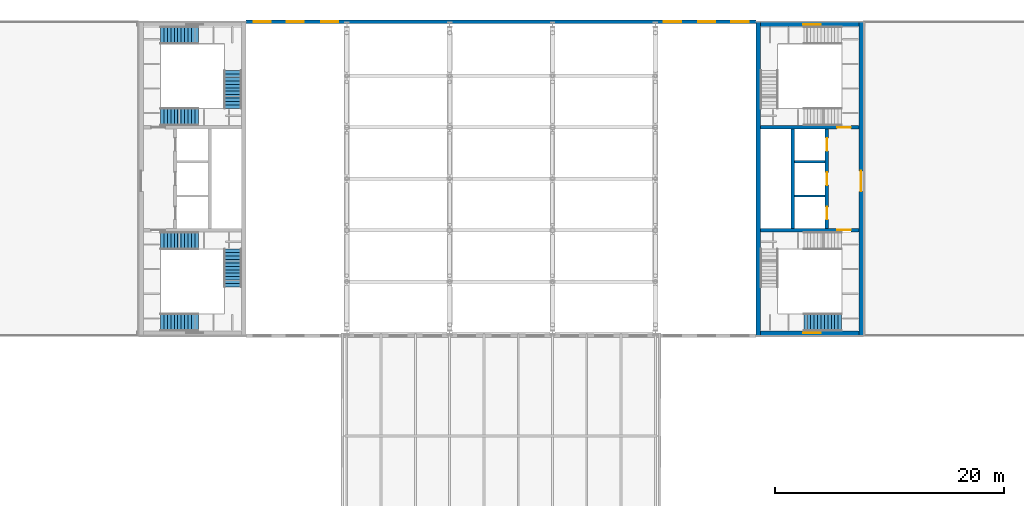
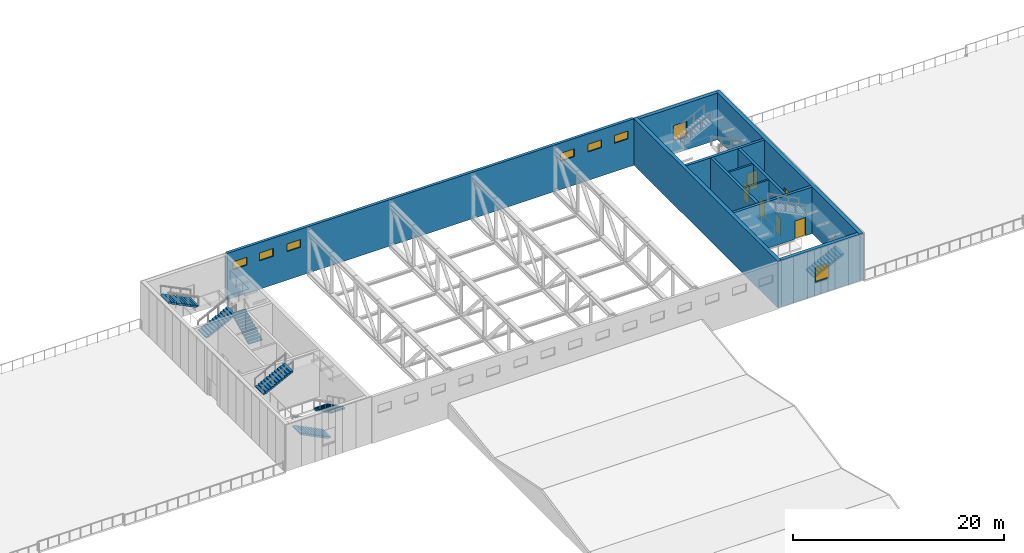
# One storey, part 22 of 29: 11 walls, 8 windows, 7 stair flights, 6 doors, 14 openings, 3 elements without a shape of their own.
"""IFC4 building model written with IfcOpenShell, lengths in metres."""

from ifc_helpers import new_model, si_unit, direction, frame, frame_2d, origin, place, context, subcontext, project, spatial, polyline, rectangle, outline, extrude, material, layer, layer_set, type_object, element, fill, aggregate, save


model = new_model("IFC4")

# Units and contexts
model_context = context("Model", 3, precision=1e-05, world=origin(), true_north=direction((0.0, 1.0)))
body_context = subcontext(model_context, "Body", "Model", "MODEL_VIEW")
ifc_project = project(units=[si_unit("LENGTHUNIT", "METRE"), si_unit("AREAUNIT", "SQUARE_METRE"), si_unit("VOLUMEUNIT", "CUBIC_METRE"), si_unit("PLANEANGLEUNIT", "RADIAN"), si_unit("MASSUNIT", "GRAM", prefix="KILO")], contexts=[model_context])

# Site, building, storey
site_placement = place(None, origin())
site = spatial("IfcSite", under=ifc_project, at=site_placement, CompositionType="ELEMENT")
building_placement = place(site_placement, origin())
building = spatial("IfcBuilding", under=site, at=building_placement, Name="Azimuth Sports and Learning Centre", CompositionType="ELEMENT")
storey_placement = place(building_placement, frame((0.0, 0.0, 27.0)))
storey = spatial("IfcBuildingStorey", under=building, at=storey_placement, Name="L05", CompositionType="ELEMENT", Elevation=27.0)

# Walls
ifc_material_1 = material(Name="Dense masonry blockwork", Category="masonry")
ifc_layer_1 = layer(ifc_material_1, 0.199951171875)
ifc_layer_set_1 = layer_set([ifc_layer_1], Name="Dense masonry blockwork")
wall_type_1 = type_object("IfcWallType", Name="Blockwork wall 200 EI 120", PredefinedType="SOLIDWALL", material=ifc_layer_set_1)
for number, where, z_axis, x_axis, name in (
    (1, (111.14990234375, 102.0, 0.0), (0.0, 0.0, 1.0), (1.0, 0.0, 0.0), "SD-E-1-L05"),
    (2, (111.14990234375, 105.0, 0.0), (0.0, 0.0, 1.0), (1.0, 0.0, 0.0), "SD-E-2-L05"),
):
    element("IfcWall", number, at=place(storey_placement, frame(where, z_axis=z_axis, x_axis=x_axis)), inside=storey, type_object=wall_type_1, Name=name, PredefinedType="SOLIDWALL", context=body_context, shape_type="SweptSolid", body=[
        extrude(rectangle(XDim=2.7001953125, YDim=0.199951171875, at=frame_2d((1.35009765625, 0.0))), origin(), (0.0, 0.0, 1.0), 5.39990234375),
    ])

# Wall, openings, windows
ifc_material_2 = material(Name="Insulated cladding wall")
ifc_layer_2 = layer(ifc_material_2, 0.300048828125)
ifc_layer_set_2 = layer_set([ifc_layer_2], Name="Insulated cladding wall")
wall_type_2 = type_object("IfcWallType", Name="Hall cladding wall 300", PredefinedType="SOLIDWALL", material=ifc_layer_set_2)
wall_1_placement = place(storey_placement, frame((107.800048828125, 117.239990234375, 0.0), z_axis=(0.0, 0.0, 1.0), x_axis=(-1.0, 0.0, 0.0)))
wall_1 = element("IfcWall", 3, at=wall_1_placement, inside=storey, type_object=wall_type_2, Name="Hall wall N-TT L05", PredefinedType="SOLIDWALL", context=body_context, shape_type="SweptSolid", body=[
    extrude(rectangle(XDim=44.60009765625, YDim=0.300048828125, at=frame_2d((22.300048828125, 0.0))), origin(), (0.0, 0.0, 1.0), 5.39990234375),
])
opening_1_placement = place(wall_1_placement, frame((0.64990234375, 0.0, 3.300048828125)))
opening_1 = element("IfcOpeningElement", 4, at=opening_1_placement, cuts=wall_1, Name="Opening W05-019", PredefinedType="OPENING", context=body_context, shape_type="SweptSolid", body=[
    extrude(rectangle(XDim=1.5, YDim=0.89990234375, at=frame_2d((0.75, 0.449951171875))), frame((0.0, 0.1611328125, 0.0), z_axis=(0.0, -1.0, 0.0), x_axis=(1.0, 0.0, 0.0)), (0.0, 0.0, 1.0), 0.322021484375),
])
opening_2_placement = place(wall_1_placement, frame((3.550048828125, 0.0, 3.300048828125)))
opening_2 = element("IfcOpeningElement", 5, at=opening_2_placement, cuts=wall_1, Name="Opening W05-020", PredefinedType="OPENING", context=body_context, shape_type="SweptSolid", body=[
    extrude(rectangle(XDim=1.5, YDim=0.89990234375, at=frame_2d((0.75, 0.449951171875))), frame((0.0, 0.1611328125, 0.0), z_axis=(0.0, -1.0, 0.0), x_axis=(1.0, 0.0, 0.0)), (0.0, 0.0, 1.0), 0.322021484375),
])
opening_3_placement = place(wall_1_placement, frame((6.550048828125, 0.0, 3.300048828125)))
opening_3 = element("IfcOpeningElement", 6, at=opening_3_placement, cuts=wall_1, Name="Opening W05-021", PredefinedType="OPENING", context=body_context, shape_type="SweptSolid", body=[
    extrude(rectangle(XDim=1.5, YDim=0.89990234375, at=frame_2d((0.75, 0.449951171875))), frame((0.0, 0.1611328125, 0.0), z_axis=(0.0, -1.0, 0.0), x_axis=(1.0, 0.0, 0.0)), (0.0, 0.0, 1.0), 0.322021484375),
])
opening_4_placement = place(wall_1_placement, frame((36.550048828125, 0.0, 3.300048828125)))
opening_4 = element("IfcOpeningElement", 7, at=opening_4_placement, cuts=wall_1, Name="Opening W05-022", PredefinedType="OPENING", context=body_context, shape_type="SweptSolid", body=[
    extrude(rectangle(XDim=1.5, YDim=0.89990234375, at=frame_2d((0.75, 0.449951171875))), frame((0.0, 0.1611328125, 0.0), z_axis=(0.0, -1.0, 0.0), x_axis=(1.0, 0.0, 0.0)), (0.0, 0.0, 1.0), 0.322021484375),
])
opening_5_placement = place(wall_1_placement, frame((39.550048828125, 0.0, 3.300048828125)))
opening_5 = element("IfcOpeningElement", 8, at=opening_5_placement, cuts=wall_1, Name="Opening W05-023", PredefinedType="OPENING", context=body_context, shape_type="SweptSolid", body=[
    extrude(rectangle(XDim=1.5, YDim=0.89990234375, at=frame_2d((0.75, 0.449951171875))), frame((0.0, 0.1611328125, 0.0), z_axis=(0.0, -1.0, 0.0), x_axis=(1.0, 0.0, 0.0)), (0.0, 0.0, 1.0), 0.322021484375),
])
opening_6_placement = place(wall_1_placement, frame((42.449951171875, 0.0, 3.300048828125)))
opening_6 = element("IfcOpeningElement", 9, at=opening_6_placement, cuts=wall_1, Name="Opening W05-024", PredefinedType="OPENING", context=body_context, shape_type="SweptSolid", body=[
    extrude(rectangle(XDim=1.5, YDim=0.89990234375, at=frame_2d((0.75, 0.449951171875))), frame((0.0, 0.1611328125, 0.0), z_axis=(0.0, -1.0, 0.0), x_axis=(1.0, 0.0, 0.0)), (0.0, 0.0, 1.0), 0.322021484375),
])
ifc_material_3 = material(Name="Aluminium and glass", Category="aluminium")
window_type_1 = type_object("IfcWindowType", Name="Transfer truss level vent window 1500x900", PartitioningType="SINGLE_PANEL", PredefinedType="WINDOW", material=ifc_material_3)
window_1_placement = place(opening_1_placement, origin())
window_1 = element("IfcWindow", 10, at=window_1_placement, inside=storey, type_object=window_type_1, Name="Window W05-019", OverallHeight=0.89990234375, OverallWidth=1.5, PartitioningType="SINGLE_PANEL", PredefinedType="WINDOW", context=body_context, shape_type="SweptSolid", body=[
    extrude(rectangle(XDim=1.5, YDim=0.89990234375, at=frame_2d((0.75, 0.449951171875))), frame((0.0, 0.030029296875, 0.0), z_axis=(0.0, -1.0, 0.0), x_axis=(1.0, 0.0, 0.0)), (0.0, 0.0, 1.0), 0.06005859375),
])
fill(opening_1, window_1)
window_2_placement = place(opening_2_placement, origin())
window_2 = element("IfcWindow", 11, at=window_2_placement, inside=storey, type_object=window_type_1, Name="Window W05-020", OverallHeight=0.89990234375, OverallWidth=1.5, PartitioningType="SINGLE_PANEL", PredefinedType="WINDOW", context=body_context, shape_type="SweptSolid", body=[
    extrude(rectangle(XDim=1.5, YDim=0.89990234375, at=frame_2d((0.75, 0.449951171875))), frame((0.0, 0.030029296875, 0.0), z_axis=(0.0, -1.0, 0.0), x_axis=(1.0, 0.0, 0.0)), (0.0, 0.0, 1.0), 0.06005859375),
])
fill(opening_2, window_2)
window_3_placement = place(opening_3_placement, origin())
window_3 = element("IfcWindow", 12, at=window_3_placement, inside=storey, type_object=window_type_1, Name="Window W05-021", OverallHeight=0.89990234375, OverallWidth=1.5, PartitioningType="SINGLE_PANEL", PredefinedType="WINDOW", context=body_context, shape_type="SweptSolid", body=[
    extrude(rectangle(XDim=1.5, YDim=0.89990234375, at=frame_2d((0.75, 0.449951171875))), frame((0.0, 0.030029296875, 0.0), z_axis=(0.0, -1.0, 0.0), x_axis=(1.0, 0.0, 0.0)), (0.0, 0.0, 1.0), 0.06005859375),
])
fill(opening_3, window_3)
window_4_placement = place(opening_4_placement, origin())
window_4 = element("IfcWindow", 13, at=window_4_placement, inside=storey, type_object=window_type_1, Name="Window W05-022", OverallHeight=0.89990234375, OverallWidth=1.5, PartitioningType="SINGLE_PANEL", PredefinedType="WINDOW", context=body_context, shape_type="SweptSolid", body=[
    extrude(rectangle(XDim=1.5, YDim=0.89990234375, at=frame_2d((0.75, 0.449951171875))), frame((0.0, 0.030029296875, 0.0), z_axis=(0.0, -1.0, 0.0), x_axis=(1.0, 0.0, 0.0)), (0.0, 0.0, 1.0), 0.06005859375),
])
fill(opening_4, window_4)
window_5_placement = place(opening_5_placement, origin())
window_5 = element("IfcWindow", 14, at=window_5_placement, inside=storey, type_object=window_type_1, Name="Window W05-023", OverallHeight=0.89990234375, OverallWidth=1.5, PartitioningType="SINGLE_PANEL", PredefinedType="WINDOW", context=body_context, shape_type="SweptSolid", body=[
    extrude(rectangle(XDim=1.5, YDim=0.89990234375, at=frame_2d((0.75, 0.449951171875))), frame((0.0, 0.030029296875, 0.0), z_axis=(0.0, -1.0, 0.0), x_axis=(1.0, 0.0, 0.0)), (0.0, 0.0, 1.0), 0.06005859375),
])
fill(opening_5, window_5)
window_6_placement = place(opening_6_placement, origin())
window_6 = element("IfcWindow", 15, at=window_6_placement, inside=storey, type_object=window_type_1, Name="Window W05-024", OverallHeight=0.89990234375, OverallWidth=1.5, PartitioningType="SINGLE_PANEL", PredefinedType="WINDOW", context=body_context, shape_type="SweptSolid", body=[
    extrude(rectangle(XDim=1.5, YDim=0.89990234375, at=frame_2d((0.75, 0.449951171875))), frame((0.0, 0.030029296875, 0.0), z_axis=(0.0, -1.0, 0.0), x_axis=(1.0, 0.0, 0.0)), (0.0, 0.0, 1.0), 0.06005859375),
])
fill(opening_6, window_6)

# Wall, opening, door
ifc_material_4 = material(Name="Concrete C40/50", Category="concrete")
ifc_layer_3 = layer(ifc_material_4, 0.300048828125)
ifc_layer_set_3 = layer_set([ifc_layer_3], Name="Concrete C40/50")
wall_type_3 = type_object("IfcWallType", Name="RC core wall 300", PredefinedType="SHEAR", material=ifc_layer_set_3)
wall_2_placement = place(storey_placement, frame((108.199951171875, 99.0, 0.0), z_axis=(0.0, 0.0, 1.0), x_axis=(1.0, 0.0, 0.0)))
wall_2 = element("IfcWall", 16, at=wall_2_placement, inside=storey, type_object=wall_type_3, Name="Core wall E D1 L05", PredefinedType="SHEAR", context=body_context, shape_type="SweptSolid", body=[
    extrude(rectangle(XDim=8.60009765625, YDim=0.300048828125, at=frame_2d((4.300048828125, 0.0))), origin(), (0.0, 0.0, 1.0), 5.39990234375),
])
opening_7_placement = place(wall_2_placement, frame((6.699951171875, 0.0, 0.0)))
opening_7 = element("IfcOpeningElement", 17, at=opening_7_placement, cuts=wall_2, Name="Opening D05-005", PredefinedType="OPENING", context=body_context, shape_type="SweptSolid", body=[
    extrude(rectangle(XDim=1.199951171875, YDim=2.10009765625, at=frame_2d((0.60009765625, 1.050048828125))), frame((0.0, 0.1611328125, 0.0), z_axis=(0.0, -1.0, 0.0), x_axis=(1.0, 0.0, 0.0)), (0.0, 0.0, 1.0), 0.322021484375),
])
ifc_material_5 = material(Name="Steel", Category="steel")
door_type_1 = type_object("IfcDoorType", Name="Stair fire door 1200 x 2100", OperationType="NOTDEFINED", PredefinedType="DOOR", material=ifc_material_5)
door_1_placement = place(opening_7_placement, origin())
door_1 = element("IfcDoor", 18, at=door_1_placement, inside=storey, type_object=door_type_1, Name="Stair door E1 L05", OperationType="SINGLE_SWING_RIGHT", OverallHeight=2.10009765625, OverallWidth=1.199951171875, PredefinedType="DOOR", context=body_context, shape_type="SweptSolid", body=[
    extrude(rectangle(XDim=1.199951171875, YDim=2.10009765625, at=frame_2d((0.60009765625, 1.050048828125))), frame((0.0, 0.02490234375, 0.0), z_axis=(0.0, -1.0, 0.0), x_axis=(1.0, 0.0, 0.0)), (0.0, 0.0, 1.0), 0.050048828125),
])
fill(opening_7, door_1)

wall_3_placement = place(storey_placement, frame((108.199951171875, 108.0, 0.0), z_axis=(0.0, 0.0, 1.0), x_axis=(1.0, 0.0, 0.0)))
wall_3 = element("IfcWall", 19, at=wall_3_placement, inside=storey, type_object=wall_type_3, Name="Core wall E D2 L05", PredefinedType="SHEAR", context=body_context, shape_type="SweptSolid", body=[
    extrude(rectangle(XDim=8.60009765625, YDim=0.300048828125, at=frame_2d((4.300048828125, 0.0))), origin(), (0.0, 0.0, 1.0), 5.39990234375),
])
opening_8_placement = place(wall_3_placement, frame((6.699951171875, 0.0, 0.0)))
opening_8 = element("IfcOpeningElement", 20, at=opening_8_placement, cuts=wall_3, Name="Opening D05-006", PredefinedType="OPENING", context=body_context, shape_type="SweptSolid", body=[
    extrude(rectangle(XDim=1.199951171875, YDim=2.10009765625, at=frame_2d((0.60009765625, 1.050048828125))), frame((0.0, 0.1611328125, 0.0), z_axis=(0.0, -1.0, 0.0), x_axis=(1.0, 0.0, 0.0)), (0.0, 0.0, 1.0), 0.322021484375),
])
door_2_placement = place(opening_8_placement, frame((1.199951171875, 0.0, 0.0), z_axis=(0.0, 0.0, 1.0), x_axis=(-1.0, 0.0, 0.0)))
door_2 = element("IfcDoor", 21, at=door_2_placement, inside=storey, type_object=door_type_1, Name="Stair door E2 L05", OperationType="SINGLE_SWING_LEFT", OverallHeight=2.10009765625, OverallWidth=1.199951171875, PredefinedType="DOOR", context=body_context, shape_type="SweptSolid", body=[
    extrude(rectangle(XDim=1.199951171875, YDim=2.10009765625, at=frame_2d((0.60009765625, 1.050048828125))), frame((0.0, 0.02490234375, 0.0), z_axis=(0.0, -1.0, 0.0), x_axis=(1.0, 0.0, 0.0)), (0.0, 0.0, 1.0), 0.050048828125),
])
fill(opening_8, door_2)

# Wall
wall_4_placement = place(storey_placement, frame((111.0, 99.14990234375, 0.0), z_axis=(0.0, 0.0, 1.0), x_axis=(0.0, 1.0, 0.0)))
element("IfcWall", 22, at=wall_4_placement, inside=storey, type_object=wall_type_3, Name="Core wall E LB1 L05", PredefinedType="SHEAR", context=body_context, shape_type="SweptSolid", body=[
    extrude(rectangle(XDim=8.7001953125, YDim=0.300048828125, at=frame_2d((4.35009765625, 0.0))), origin(), (0.0, 0.0, 1.0), 5.39990234375),
])

# Wall, openings, doors
wall_5_placement = place(storey_placement, frame((114.0, 99.14990234375, 0.0), z_axis=(0.0, 0.0, 1.0), x_axis=(0.0, 1.0, 0.0)))
wall_5 = element("IfcWall", 23, at=wall_5_placement, inside=storey, type_object=wall_type_3, Name="Core wall E LB2 L05", PredefinedType="SHEAR", context=body_context, shape_type="SweptSolid", body=[
    extrude(rectangle(XDim=8.7001953125, YDim=0.300048828125, at=frame_2d((4.35009765625, 0.0))), origin(), (0.0, 0.0, 1.0), 5.39990234375),
])
opening_9_placement = place(wall_5_placement, frame((0.800048828125, 0.0, 0.0)))
opening_9 = element("IfcOpeningElement", 24, at=opening_9_placement, cuts=wall_5, Name="Opening D05-010", PredefinedType="OPENING", context=body_context, shape_type="SweptSolid", body=[
    extrude(rectangle(XDim=1.10009765625, YDim=2.10009765625, at=frame_2d((0.550048828125, 1.050048828125))), frame((0.0, 0.1611328125, 0.0), z_axis=(0.0, -1.0, 0.0), x_axis=(1.0, 0.0, 0.0)), (0.0, 0.0, 1.0), 0.322021484375),
])
opening_10_placement = place(wall_5_placement, frame((3.800048828125, 0.0, 0.0)))
opening_10 = element("IfcOpeningElement", 25, at=opening_10_placement, cuts=wall_5, Name="Opening D05-011", PredefinedType="OPENING", context=body_context, shape_type="SweptSolid", body=[
    extrude(rectangle(XDim=1.10009765625, YDim=2.10009765625, at=frame_2d((0.550048828125, 1.050048828125))), frame((0.0, 0.1611328125, 0.0), z_axis=(0.0, -1.0, 0.0), x_axis=(1.0, 0.0, 0.0)), (0.0, 0.0, 1.0), 0.322021484375),
])
opening_11_placement = place(wall_5_placement, frame((6.800048828125, 0.0, 0.0)))
opening_11 = element("IfcOpeningElement", 26, at=opening_11_placement, cuts=wall_5, Name="Opening D05-012", PredefinedType="OPENING", context=body_context, shape_type="SweptSolid", body=[
    extrude(rectangle(XDim=1.10009765625, YDim=2.10009765625, at=frame_2d((0.550048828125, 1.050048828125))), frame((0.0, 0.1611328125, 0.0), z_axis=(0.0, -1.0, 0.0), x_axis=(1.0, 0.0, 0.0)), (0.0, 0.0, 1.0), 0.322021484375),
])
ifc_material_6 = material(Name="Stainless steel", Category="steel")
door_type_2 = type_object("IfcDoorType", Name="Lift landing door 1100 x 2100", OperationType="DOUBLE_DOOR_SLIDING", PredefinedType="DOOR", material=ifc_material_6)
door_3_placement = place(opening_9_placement, origin())
door_3 = element("IfcDoor", 27, at=door_3_placement, inside=storey, type_object=door_type_2, Name="Landing door LE1 L05", OperationType="DOUBLE_DOOR_SLIDING", OverallHeight=2.10009765625, OverallWidth=1.10009765625, PredefinedType="DOOR", context=body_context, shape_type="SweptSolid", body=[
    extrude(rectangle(XDim=1.10009765625, YDim=2.10009765625, at=frame_2d((0.550048828125, 1.050048828125))), frame((0.0, 0.02490234375, 0.0), z_axis=(0.0, -1.0, 0.0), x_axis=(1.0, 0.0, 0.0)), (0.0, 0.0, 1.0), 0.050048828125),
])
fill(opening_9, door_3)
door_4_placement = place(opening_10_placement, origin())
door_4 = element("IfcDoor", 28, at=door_4_placement, inside=storey, type_object=door_type_2, Name="Landing door LE2 L05", OperationType="DOUBLE_DOOR_SLIDING", OverallHeight=2.10009765625, OverallWidth=1.10009765625, PredefinedType="DOOR", context=body_context, shape_type="SweptSolid", body=[
    extrude(rectangle(XDim=1.10009765625, YDim=2.10009765625, at=frame_2d((0.550048828125, 1.050048828125))), frame((0.0, 0.02490234375, 0.0), z_axis=(0.0, -1.0, 0.0), x_axis=(1.0, 0.0, 0.0)), (0.0, 0.0, 1.0), 0.050048828125),
])
fill(opening_10, door_4)
door_5_placement = place(opening_11_placement, origin())
door_5 = element("IfcDoor", 29, at=door_5_placement, inside=storey, type_object=door_type_2, Name="Landing door LE3 L05", OperationType="DOUBLE_DOOR_SLIDING", OverallHeight=2.10009765625, OverallWidth=1.10009765625, PredefinedType="DOOR", context=body_context, shape_type="SweptSolid", body=[
    extrude(rectangle(XDim=1.10009765625, YDim=2.10009765625, at=frame_2d((0.550048828125, 1.050048828125))), frame((0.0, 0.02490234375, 0.0), z_axis=(0.0, -1.0, 0.0), x_axis=(1.0, 0.0, 0.0)), (0.0, 0.0, 1.0), 0.050048828125),
])
fill(opening_11, door_5)

# Wall
ifc_material_7 = material(Name="Concrete C40/50", Category="concrete")
ifc_layer_4 = layer(ifc_material_7, 0.39990234375)
ifc_layer_set_4 = layer_set([ifc_layer_4], Name="Concrete C40/50")
wall_type_4 = type_object("IfcWallType", Name="RC core wall 400", PredefinedType="SHEAR", material=ifc_layer_set_4)
wall_6_placement = place(storey_placement, frame((108.0, 89.800048828125, 0.0), z_axis=(0.0, 0.0, 1.0), x_axis=(0.0, 1.0, 0.0)))
element("IfcWall", 30, at=wall_6_placement, inside=storey, type_object=wall_type_4, Name="Core wall E W L05", PredefinedType="SHEAR", context=body_context, shape_type="SweptSolid", body=[
    extrude(rectangle(XDim=27.39990234375, YDim=0.39990234375, at=frame_2d((13.699951171875, 0.0))), origin(), (0.0, 0.0, 1.0), 5.39990234375),
])

# Wall, opening, window
ifc_material_8 = material(Name="Concrete C40/50", Category="concrete")
ifc_layer_5 = layer(ifc_material_8, 0.39990234375)
ifc_layer_set_5 = layer_set([ifc_layer_5], Name="Concrete C40/50")
wall_type_5 = type_object("IfcWallType", Name="RC external core wall 400", PredefinedType="SHEAR", material=ifc_layer_set_5)
wall_7_placement = place(storey_placement, frame((108.199951171875, 90.0, 0.0), z_axis=(0.0, 0.0, 1.0), x_axis=(1.0, 0.0, 0.0)))
wall_7 = element("IfcWall", 31, at=wall_7_placement, inside=storey, type_object=wall_type_5, Name="Core wall E S L05", PredefinedType="SHEAR", context=body_context, shape_type="SweptSolid", body=[
    extrude(rectangle(XDim=8.60009765625, YDim=0.39990234375, at=frame_2d((4.300048828125, 0.0))), origin(), (0.0, 0.0, 1.0), 5.39990234375),
])
opening_12_placement = place(wall_7_placement, frame((3.75, 0.0, 1.5)))
opening_12 = element("IfcOpeningElement", 32, at=opening_12_placement, cuts=wall_7, Name="Opening W05-017", PredefinedType="OPENING", context=body_context, shape_type="SweptSolid", body=[
    extrude(rectangle(XDim=1.5, YDim=1.800048828125, at=frame_2d((0.75, 0.89990234375))), frame((0.0, 0.2109375, 0.0), z_axis=(0.0, -1.0, 0.0), x_axis=(1.0, 0.0, 0.0)), (0.0, 0.0, 1.0), 0.421875),
])
ifc_material_9 = material(Name="Aluminium and glass", Category="aluminium")
window_type_2 = type_object("IfcWindowType", Name="Stair window sky lobby level 1500x1800", PartitioningType="SINGLE_PANEL", PredefinedType="WINDOW", material=ifc_material_9)
window_7_placement = place(opening_12_placement, origin())
window_7 = element("IfcWindow", 33, at=window_7_placement, inside=storey, type_object=window_type_2, Name="Window W05-017", OverallHeight=1.800048828125, OverallWidth=1.5, PartitioningType="SINGLE_PANEL", PredefinedType="WINDOW", context=body_context, shape_type="SweptSolid", body=[
    extrude(rectangle(XDim=1.5, YDim=1.800048828125, at=frame_2d((0.75, 0.89990234375))), frame((0.0, 0.030029296875, 0.0), z_axis=(0.0, -1.0, 0.0), x_axis=(1.0, 0.0, 0.0)), (0.0, 0.0, 1.0), 0.06005859375),
])
fill(opening_12, window_7)

wall_8_placement = place(storey_placement, frame((108.199951171875, 117.0, 0.0), z_axis=(0.0, 0.0, 1.0), x_axis=(1.0, 0.0, 0.0)))
wall_8 = element("IfcWall", 34, at=wall_8_placement, inside=storey, type_object=wall_type_5, Name="Core wall E N L05", PredefinedType="SHEAR", context=body_context, shape_type="SweptSolid", body=[
    extrude(rectangle(XDim=8.60009765625, YDim=0.39990234375, at=frame_2d((4.300048828125, 0.0))), origin(), (0.0, 0.0, 1.0), 5.39990234375),
])
opening_13_placement = place(wall_8_placement, frame((3.75, 0.0, 1.5)))
opening_13 = element("IfcOpeningElement", 35, at=opening_13_placement, cuts=wall_8, Name="Opening W05-018", PredefinedType="OPENING", context=body_context, shape_type="SweptSolid", body=[
    extrude(rectangle(XDim=1.5, YDim=1.800048828125, at=frame_2d((0.75, 0.89990234375))), frame((0.0, 0.2109375, 0.0), z_axis=(0.0, -1.0, 0.0), x_axis=(1.0, 0.0, 0.0)), (0.0, 0.0, 1.0), 0.421875),
])
window_8_placement = place(opening_13_placement, origin())
window_8 = element("IfcWindow", 36, at=window_8_placement, inside=storey, type_object=window_type_2, Name="Window W05-018", OverallHeight=1.800048828125, OverallWidth=1.5, PartitioningType="SINGLE_PANEL", PredefinedType="WINDOW", context=body_context, shape_type="SweptSolid", body=[
    extrude(rectangle(XDim=1.5, YDim=1.800048828125, at=frame_2d((0.75, 0.89990234375))), frame((0.0, 0.030029296875, 0.0), z_axis=(0.0, -1.0, 0.0), x_axis=(1.0, 0.0, 0.0)), (0.0, 0.0, 1.0), 0.06005859375),
])
fill(opening_13, window_8)

# Wall, opening, door
wall_9_placement = place(storey_placement, frame((117.0, 89.800048828125, 0.0), z_axis=(0.0, 0.0, 1.0), x_axis=(0.0, 1.0, 0.0)))
wall_9 = element("IfcWall", 37, at=wall_9_placement, inside=storey, type_object=wall_type_5, Name="Core wall E E L05", PredefinedType="SHEAR", context=body_context, shape_type="SweptSolid", body=[
    extrude(rectangle(XDim=27.39990234375, YDim=0.39990234375, at=frame_2d((13.699951171875, 0.0))), origin(), (0.0, 0.0, 1.0), 5.39990234375),
])
opening_14_placement = place(wall_9_placement, frame((12.60009765625, 0.0, 0.0)))
opening_14 = element("IfcOpeningElement", 38, at=opening_14_placement, cuts=wall_9, Name="Opening D05-002", PredefinedType="OPENING", context=body_context, shape_type="SweptSolid", body=[
    extrude(rectangle(XDim=1.800048828125, YDim=2.10009765625, at=frame_2d((0.89990234375, 1.050048828125))), frame((0.0, 0.2109375, 0.0), z_axis=(0.0, -1.0, 0.0), x_axis=(1.0, 0.0, 0.0)), (0.0, 0.0, 1.0), 0.421875),
])
ifc_material_10 = material(Name="Steel", Category="steel")
door_type_3 = type_object("IfcDoorType", Name="Exterior door double leaf 1800x2100 FD60", OperationType="DOUBLE_DOOR_DOUBLE_SWING", PredefinedType="DOOR", material=ifc_material_10)
door_6_placement = place(opening_14_placement, frame((1.800048828125, 0.0, 0.0), z_axis=(0.0, 0.0, 1.0), x_axis=(-1.0, 0.0, 0.0)))
door_6 = element("IfcDoor", 39, at=door_6_placement, inside=storey, type_object=door_type_3, Name="Exterior door D05-002", OperationType="DOUBLE_DOOR_DOUBLE_SWING", OverallHeight=2.10009765625, OverallWidth=1.800048828125, PredefinedType="DOOR", context=body_context, shape_type="SweptSolid", body=[
    extrude(rectangle(XDim=1.800048828125, YDim=2.10009765625, at=frame_2d((0.89990234375, 1.050048828125))), frame((0.0, 0.02490234375, 0.0), z_axis=(0.0, -1.0, 0.0), x_axis=(1.0, 0.0, 0.0)), (0.0, 0.0, 1.0), 0.050048828125),
])
fill(opening_14, door_6)

# Stair, stair flights
ifc_material_11 = material(Name="Concrete C32/40", Category="concrete")
stair_type = type_object("IfcStairType", Name="Square-well stair core 5400 storey", PredefinedType="THREE_QUARTER_TURN_STAIR", material=ifc_material_11)
stair_1_placement = place(storey_placement, origin())
stair_1 = element("IfcStair", 40, at=stair_1_placement, inside=storey, type_object=stair_type, Name="Stair W1 L05-L06", PredefinedType="THREE_QUARTER_TURN_STAIR")
ifc_material_12 = material(Name="Concrete C32/40", Category="concrete")
stair_flight_type = type_object("IfcStairFlightType", Name="Stair flight 12 risers", PredefinedType="STRAIGHT", material=ifc_material_12)
stair_flight_1_placement = place(storey_placement, frame((62.0400390625, 97.340087890625, 0.0), z_axis=(0.0, 0.0, 1.0), x_axis=(0.0, -1.0, 0.0)))
stair_flight_1 = element("IfcStairFlight", 41, at=stair_flight_1_placement, type_object=stair_flight_type, Name="Stair W1 L05 flight 1", NumberOfRisers=12, NumberOfTreads=11, PredefinedType="STRAIGHT", RiserHeight=0.15, TreadLength=0.3, context=body_context, shape_type="SweptSolid", body=[
    extrude(outline(polyline([(0.0, 0.0), (0.0, 0.14990234375), (0.300048828125, 0.14990234375), (0.300048828125, 0.300048828125), (0.60009765625, 0.300048828125), (0.60009765625, 0.449951171875), (0.89990234375, 0.449951171875), (0.89990234375, 0.60009765625), (1.199951171875, 0.60009765625), (1.199951171875, 0.75), (1.5, 0.75), (1.5, 0.89990234375), (1.800048828125, 0.89990234375), (1.800048828125, 1.050048828125), (2.10009765625, 1.050048828125), (2.10009765625, 1.199951171875), (2.39990234375, 1.199951171875), (2.39990234375, 1.35009765625), (2.699951171875, 1.35009765625), (2.699951171875, 1.5), (3.0, 1.5), (3.0, 1.64990234375), (3.300048828125, 1.64990234375), (3.300048828125, 1.800048828125), (3.300048828125, 1.482421875), (0.335205078125, 0.0), (0.0, 0.0)])), frame((0.0, 0.75, 0.0), z_axis=(0.0, -1.0, 0.0), x_axis=(1.0, 0.0, 0.0)), (0.0, 0.0, 1.0), 1.5),
])
stair_flight_2_placement = place(storey_placement, frame((59.010009765625, 90.9599609375, 1.800048828125), z_axis=(0.0, 0.0, 1.0), x_axis=(-1.0, 0.0, 0.0)))
stair_flight_2 = element("IfcStairFlight", 42, at=stair_flight_2_placement, type_object=stair_flight_type, Name="Stair W1 L05 flight 2", NumberOfRisers=12, NumberOfTreads=11, PredefinedType="STRAIGHT", RiserHeight=0.15, TreadLength=0.3, context=body_context, shape_type="SweptSolid", body=[
    extrude(outline(polyline([(0.0, 0.0), (0.0, 0.14990234375), (0.300048828125, 0.14990234375), (0.300048828125, 0.300048828125), (0.60009765625, 0.300048828125), (0.60009765625, 0.449951171875), (0.89990234375, 0.449951171875), (0.89990234375, 0.60009765625), (1.199951171875, 0.60009765625), (1.199951171875, 0.75), (1.5, 0.75), (1.5, 0.89990234375), (1.800048828125, 0.89990234375), (1.800048828125, 1.050048828125), (2.10009765625, 1.050048828125), (2.10009765625, 1.199951171875), (2.39990234375, 1.199951171875), (2.39990234375, 1.35009765625), (2.699951171875, 1.35009765625), (2.699951171875, 1.5), (3.0, 1.5), (3.0, 1.64990234375), (3.300048828125, 1.64990234375), (3.300048828125, 1.800048828125), (3.300048828125, 1.482421875), (0.335205078125, 0.0), (0.0, 0.0)])), frame((0.0, 0.75, 0.0), z_axis=(0.0, -1.0, 0.0), x_axis=(1.0, 0.0, 0.0)), (0.0, 0.0, 1.0), 1.5),
])
stair_flight_3_placement = place(storey_placement, frame((55.7099609375, 98.090087890625, 3.60009765625), z_axis=(0.0, 0.0, 1.0), x_axis=(1.0, 0.0, 0.0)))
stair_flight_3 = element("IfcStairFlight", 43, at=stair_flight_3_placement, type_object=stair_flight_type, Name="Stair W1 L05 flight 3", NumberOfRisers=12, NumberOfTreads=11, PredefinedType="STRAIGHT", RiserHeight=0.15, TreadLength=0.3, context=body_context, shape_type="SweptSolid", body=[
    extrude(outline(polyline([(0.0, 0.0), (0.0, 0.14990234375), (0.300048828125, 0.14990234375), (0.300048828125, 0.300048828125), (0.60009765625, 0.300048828125), (0.60009765625, 0.449951171875), (0.89990234375, 0.449951171875), (0.89990234375, 0.60009765625), (1.199951171875, 0.60009765625), (1.199951171875, 0.75), (1.5, 0.75), (1.5, 0.89990234375), (1.800048828125, 0.89990234375), (1.800048828125, 1.050048828125), (2.10009765625, 1.050048828125), (2.10009765625, 1.199951171875), (2.39990234375, 1.199951171875), (2.39990234375, 1.35009765625), (2.699951171875, 1.35009765625), (2.699951171875, 1.5), (3.0, 1.5), (3.0, 1.64990234375), (3.300048828125, 1.64990234375), (3.300048828125, 1.800048828125), (3.300048828125, 1.482421875), (0.335205078125, 0.0), (0.0, 0.0)])), frame((0.0, 0.75, 0.0), z_axis=(0.0, -1.0, 0.0), x_axis=(1.0, 0.0, 0.0)), (0.0, 0.0, 1.0), 1.5),
])
aggregate(stair_1, [stair_flight_1, stair_flight_2, stair_flight_3])

stair_2_placement = place(storey_placement, origin())
stair_2 = element("IfcStair", 44, at=stair_2_placement, inside=storey, type_object=stair_type, Name="Stair W2 L05-L06", PredefinedType="THREE_QUARTER_TURN_STAIR")
stair_flight_4_placement = place(storey_placement, frame((62.0400390625, 109.659912109375, 0.0), z_axis=(0.0, 0.0, 1.0), x_axis=(0.0, 1.0, 0.0)))
stair_flight_4 = element("IfcStairFlight", 45, at=stair_flight_4_placement, type_object=stair_flight_type, Name="Stair W2 L05 flight 1", NumberOfRisers=12, NumberOfTreads=11, PredefinedType="STRAIGHT", RiserHeight=0.15, TreadLength=0.3, context=body_context, shape_type="SweptSolid", body=[
    extrude(outline(polyline([(0.0, 0.0), (0.0, 0.14990234375), (0.300048828125, 0.14990234375), (0.300048828125, 0.300048828125), (0.60009765625, 0.300048828125), (0.60009765625, 0.449951171875), (0.89990234375, 0.449951171875), (0.89990234375, 0.60009765625), (1.199951171875, 0.60009765625), (1.199951171875, 0.75), (1.5, 0.75), (1.5, 0.89990234375), (1.800048828125, 0.89990234375), (1.800048828125, 1.050048828125), (2.10009765625, 1.050048828125), (2.10009765625, 1.199951171875), (2.39990234375, 1.199951171875), (2.39990234375, 1.35009765625), (2.699951171875, 1.35009765625), (2.699951171875, 1.5), (3.0, 1.5), (3.0, 1.64990234375), (3.300048828125, 1.64990234375), (3.300048828125, 1.800048828125), (3.300048828125, 1.482421875), (0.335205078125, 0.0), (0.0, 0.0)])), frame((0.0, 0.75, 0.0), z_axis=(0.0, -1.0, 0.0), x_axis=(1.0, 0.0, 0.0)), (0.0, 0.0, 1.0), 1.5),
])
stair_flight_5_placement = place(storey_placement, frame((59.010009765625, 116.0400390625, 1.800048828125), z_axis=(0.0, 0.0, 1.0), x_axis=(-1.0, 0.0, 0.0)))
stair_flight_5 = element("IfcStairFlight", 46, at=stair_flight_5_placement, type_object=stair_flight_type, Name="Stair W2 L05 flight 2", NumberOfRisers=12, NumberOfTreads=11, PredefinedType="STRAIGHT", RiserHeight=0.15, TreadLength=0.3, context=body_context, shape_type="SweptSolid", body=[
    extrude(outline(polyline([(0.0, 0.0), (0.0, 0.14990234375), (0.300048828125, 0.14990234375), (0.300048828125, 0.300048828125), (0.60009765625, 0.300048828125), (0.60009765625, 0.449951171875), (0.89990234375, 0.449951171875), (0.89990234375, 0.60009765625), (1.199951171875, 0.60009765625), (1.199951171875, 0.75), (1.5, 0.75), (1.5, 0.89990234375), (1.800048828125, 0.89990234375), (1.800048828125, 1.050048828125), (2.10009765625, 1.050048828125), (2.10009765625, 1.199951171875), (2.39990234375, 1.199951171875), (2.39990234375, 1.35009765625), (2.699951171875, 1.35009765625), (2.699951171875, 1.5), (3.0, 1.5), (3.0, 1.64990234375), (3.300048828125, 1.64990234375), (3.300048828125, 1.800048828125), (3.300048828125, 1.482421875), (0.335205078125, 0.0), (0.0, 0.0)])), frame((0.0, 0.75, 0.0), z_axis=(0.0, -1.0, 0.0), x_axis=(1.0, 0.0, 0.0)), (0.0, 0.0, 1.0), 1.5),
])
stair_flight_6_placement = place(storey_placement, frame((55.7099609375, 108.909912109375, 3.60009765625), z_axis=(0.0, 0.0, 1.0), x_axis=(1.0, 0.0, 0.0)))
stair_flight_6 = element("IfcStairFlight", 47, at=stair_flight_6_placement, type_object=stair_flight_type, Name="Stair W2 L05 flight 3", NumberOfRisers=12, NumberOfTreads=11, PredefinedType="STRAIGHT", RiserHeight=0.15, TreadLength=0.3, context=body_context, shape_type="SweptSolid", body=[
    extrude(outline(polyline([(0.0, 0.0), (0.0, 0.14990234375), (0.300048828125, 0.14990234375), (0.300048828125, 0.300048828125), (0.60009765625, 0.300048828125), (0.60009765625, 0.449951171875), (0.89990234375, 0.449951171875), (0.89990234375, 0.60009765625), (1.199951171875, 0.60009765625), (1.199951171875, 0.75), (1.5, 0.75), (1.5, 0.89990234375), (1.800048828125, 0.89990234375), (1.800048828125, 1.050048828125), (2.10009765625, 1.050048828125), (2.10009765625, 1.199951171875), (2.39990234375, 1.199951171875), (2.39990234375, 1.35009765625), (2.699951171875, 1.35009765625), (2.699951171875, 1.5), (3.0, 1.5), (3.0, 1.64990234375), (3.300048828125, 1.64990234375), (3.300048828125, 1.800048828125), (3.300048828125, 1.482421875), (0.335205078125, 0.0), (0.0, 0.0)])), frame((0.0, 0.75, 0.0), z_axis=(0.0, -1.0, 0.0), x_axis=(1.0, 0.0, 0.0)), (0.0, 0.0, 1.0), 1.5),
])
aggregate(stair_2, [stair_flight_4, stair_flight_5, stair_flight_6])

# Stair, stair flight
stair_3_placement = place(storey_placement, origin())
stair_3 = element("IfcStair", 48, at=stair_3_placement, inside=storey, type_object=stair_type, Name="Stair E1 L05-L06", PredefinedType="THREE_QUARTER_TURN_STAIR")
stair_flight_7_placement = place(storey_placement, frame((111.989990234375, 90.9599609375, 1.800048828125), z_axis=(0.0, 0.0, 1.0), x_axis=(1.0, 0.0, 0.0)))
stair_flight_7 = element("IfcStairFlight", 49, at=stair_flight_7_placement, type_object=stair_flight_type, Name="Stair E1 L05 flight 2", NumberOfRisers=12, NumberOfTreads=11, PredefinedType="STRAIGHT", RiserHeight=0.15, TreadLength=0.3, context=body_context, shape_type="SweptSolid", body=[
    extrude(outline(polyline([(0.0, 0.0), (0.0, 0.14990234375), (0.300048828125, 0.14990234375), (0.300048828125, 0.300048828125), (0.60009765625, 0.300048828125), (0.60009765625, 0.449951171875), (0.89990234375, 0.449951171875), (0.89990234375, 0.60009765625), (1.199951171875, 0.60009765625), (1.199951171875, 0.75), (1.5, 0.75), (1.5, 0.89990234375), (1.800048828125, 0.89990234375), (1.800048828125, 1.050048828125), (2.10009765625, 1.050048828125), (2.10009765625, 1.199951171875), (2.39990234375, 1.199951171875), (2.39990234375, 1.35009765625), (2.699951171875, 1.35009765625), (2.699951171875, 1.5), (3.0, 1.5), (3.0, 1.64990234375), (3.300048828125, 1.64990234375), (3.300048828125, 1.800048828125), (3.300048828125, 1.482421875), (0.335205078125, 0.0), (0.0, 0.0)])), frame((0.0, 0.75, 0.0), z_axis=(0.0, -1.0, 0.0), x_axis=(1.0, 0.0, 0.0)), (0.0, 0.0, 1.0), 1.5),
])
aggregate(stair_3, [stair_flight_7])

save(model, "model.ifc")
